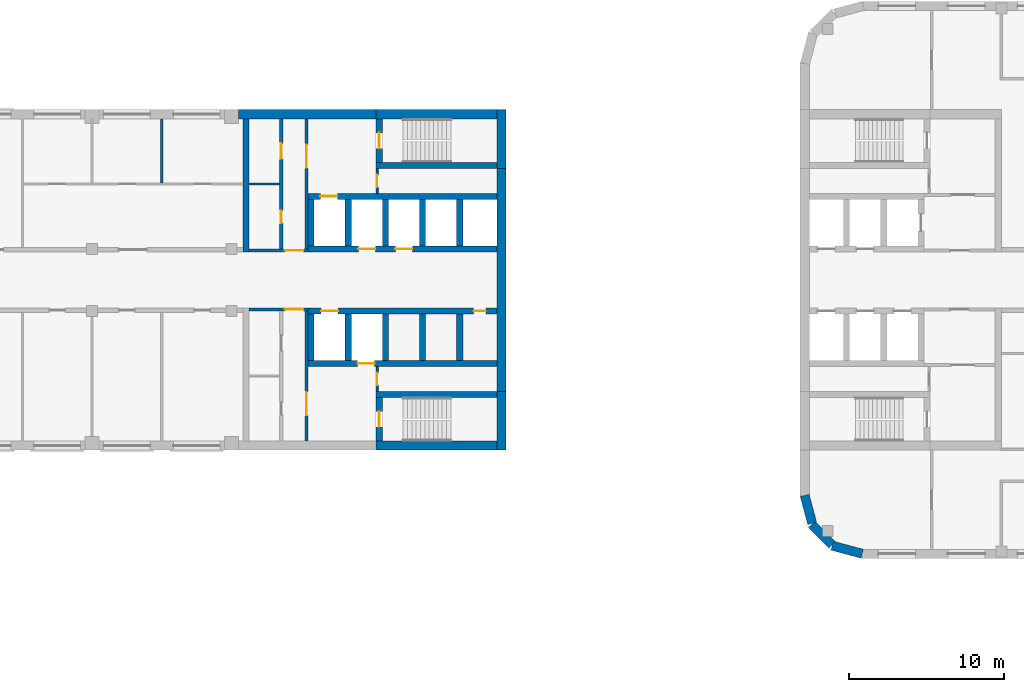
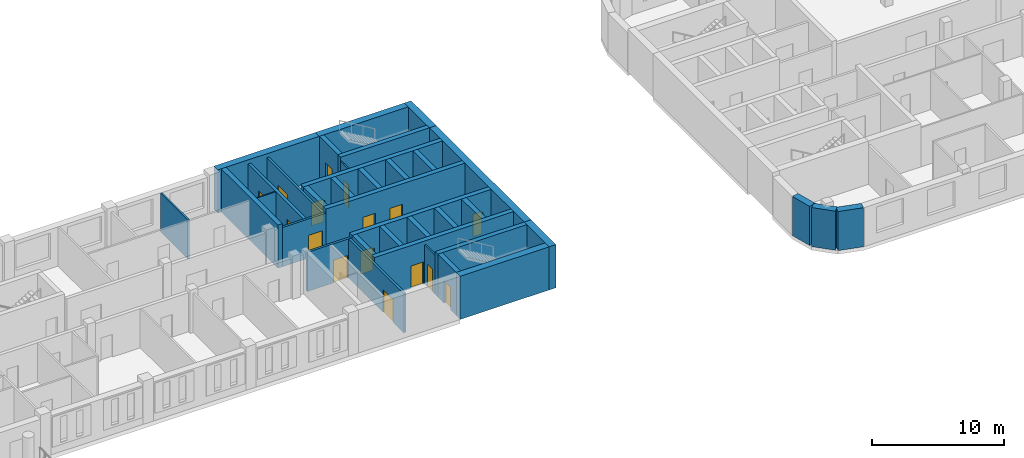
# One storey, part 6 of 16: 37 walls, 16 doors, 16 openings.
"""IFC4 building model written with IfcOpenShell, lengths in metres."""

from ifc_helpers import new_model, si_unit, direction, frame, frame_2d, origin, place, context, subcontext, project, spatial, rectangle, extrude, material, layer, layer_set, type_object, element, fill, save


model = new_model("IFC4")

# Units and contexts
model_context = context("Model", 3, precision=1e-05, world=origin(), true_north=direction((0.0, 1.0)))
body_context = subcontext(model_context, "Body", "Model", "MODEL_VIEW")
ifc_project = project(units=[si_unit("LENGTHUNIT", "METRE"), si_unit("AREAUNIT", "SQUARE_METRE"), si_unit("VOLUMEUNIT", "CUBIC_METRE"), si_unit("PLANEANGLEUNIT", "RADIAN"), si_unit("MASSUNIT", "GRAM", prefix="KILO")], contexts=[model_context])

# Site, building, storey
site_placement = place(None, origin())
site = spatial("IfcSite", under=ifc_project, at=site_placement, CompositionType="ELEMENT")
building_placement = place(site_placement, origin())
building = spatial("IfcBuilding", under=site, at=building_placement, Name="Skarvind Civic Tower", CompositionType="ELEMENT")
storey_placement = place(building_placement, frame((0.0, 0.0, 67.5)))
storey = spatial("IfcBuildingStorey", under=building, at=storey_placement, Name="L15", CompositionType="ELEMENT", Elevation=67.5)

# Wall, opening, door
ifc_material_1 = material(Name="Fire-rated masonry partition", Category="masonry")
ifc_layer_1 = layer(ifc_material_1, 0.199951171875)
ifc_layer_set_1 = layer_set([ifc_layer_1], Name="Core enclosure wall 200")
wall_type_1 = type_object("IfcWallType", Name="Core enclosure wall 200", PredefinedType="PARTITIONING", material=ifc_layer_set_1)
wall_1_placement = place(storey_placement, frame((95.199951171875, 126.10009765625, 0.0), z_axis=(0.0, 0.0, 1.0), x_axis=(-1.0, 0.0, 0.0)))
wall_1 = element("IfcWall", 1, at=wall_1_placement, inside=storey, type_object=wall_type_1, Name="Core wall C1", PredefinedType="PARTITIONING", context=body_context, shape_type="SweptSolid", body=[
    extrude(rectangle(XDim=3.800048828125, YDim=0.199951171875, at=frame_2d((1.89990234375, 0.0))), origin(), (0.0, 0.0, 1.0), 3.625),
])
opening_1_placement = place(wall_1_placement, frame((0.300048828125, 0.0, 0.0)))
opening_1 = element("IfcOpeningElement", 2, at=opening_1_placement, cuts=wall_1, Name="Opening D-L15-C1-05", PredefinedType="OPENING", context=body_context, shape_type="SweptSolid", body=[
    extrude(rectangle(XDim=1.199951171875, YDim=2.10009765625, at=frame_2d((0.60009765625, 1.050048828125))), frame((0.0, 0.10986328125, 0.0), z_axis=(0.0, -1.0, 0.0), x_axis=(1.0, 0.0, 0.0)), (0.0, 0.0, 1.0), 0.219970703125),
])
ifc_material_2 = material(Name="Fire-rated steel door", Category="steel")
door_type_1 = type_object("IfcDoorType", Name="Core lobby door 1200", OperationType="NOTDEFINED", PredefinedType="DOOR", material=ifc_material_2)
door_1_placement = place(opening_1_placement, origin())
door_1 = element("IfcDoor", 3, at=door_1_placement, inside=storey, type_object=door_type_1, Name="Fire door", OperationType="DOUBLE_DOOR_SINGLE_SWING", OverallHeight=2.10009765625, OverallWidth=1.199951171875, PredefinedType="DOOR", context=body_context, shape_type="SweptSolid", body=[
    extrude(rectangle(XDim=1.199951171875, YDim=2.10009765625, at=frame_2d((0.60009765625, 1.050048828125))), frame((0.0, 0.02490234375, 0.0), z_axis=(0.0, -1.0, 0.0), x_axis=(1.0, 0.0, 0.0)), (0.0, 0.0, 1.0), 0.050048828125),
])
fill(opening_1, door_1)

wall_2_placement = place(storey_placement, frame((95.10009765625, 117.60009765625, 0.0), z_axis=(0.0, 0.0, 1.0), x_axis=(0.0, 1.0, 0.0)))
wall_2 = element("IfcWall", 4, at=wall_2_placement, inside=storey, type_object=wall_type_1, Name="Core wall C1", PredefinedType="PARTITIONING", context=body_context, shape_type="SweptSolid", body=[
    extrude(rectangle(XDim=8.39990234375, YDim=0.199951171875, at=frame_2d((4.199951171875, 0.0))), origin(), (0.0, 0.0, 1.0), 3.625),
])
opening_2_placement = place(wall_2_placement, frame((1.64990234375, 0.0, 0.0)))
opening_2 = element("IfcOpeningElement", 5, at=opening_2_placement, cuts=wall_2, Name="Opening D-L15-C1-06", PredefinedType="OPENING", context=body_context, shape_type="SweptSolid", body=[
    extrude(rectangle(XDim=1.5, YDim=2.10009765625, at=frame_2d((0.75, 1.050048828125))), frame((0.0, 0.10986328125, 0.0), z_axis=(0.0, -1.0, 0.0), x_axis=(1.0, 0.0, 0.0)), (0.0, 0.0, 1.0), 0.219970703125),
])
door_type_2 = type_object("IfcDoorType", Name="Fire door 1500", OperationType="NOTDEFINED", PredefinedType="DOOR", material=ifc_material_2)
door_2_placement = place(opening_2_placement, origin())
door_2 = element("IfcDoor", 6, at=door_2_placement, inside=storey, type_object=door_type_2, Name="Fire door", OperationType="DOUBLE_DOOR_SINGLE_SWING", OverallHeight=2.10009765625, OverallWidth=1.5, PredefinedType="DOOR", context=body_context, shape_type="SweptSolid", body=[
    extrude(rectangle(XDim=1.5, YDim=2.10009765625, at=frame_2d((0.75, 1.050048828125))), frame((0.0, 0.02490234375, 0.0), z_axis=(0.0, -1.0, 0.0), x_axis=(1.0, 0.0, 0.0)), (0.0, 0.0, 1.0), 0.050048828125),
])
fill(opening_2, door_2)

wall_3_placement = place(storey_placement, frame((91.39990234375, 129.89990234375, 0.0), z_axis=(0.0, 0.0, 1.0), x_axis=(1.0, 0.0, 0.0)))
wall_3 = element("IfcWall", 7, at=wall_3_placement, inside=storey, type_object=wall_type_1, Name="Core wall C1", PredefinedType="PARTITIONING", context=body_context, shape_type="SweptSolid", body=[
    extrude(rectangle(XDim=3.800048828125, YDim=0.199951171875, at=frame_2d((1.89990234375, 0.0))), origin(), (0.0, 0.0, 1.0), 3.625),
])
opening_3_placement = place(wall_3_placement, frame((2.300048828125, 0.0, 0.0)))
opening_3 = element("IfcOpeningElement", 8, at=opening_3_placement, cuts=wall_3, Name="Opening D-L15-C1-11", PredefinedType="OPENING", context=body_context, shape_type="SweptSolid", body=[
    extrude(rectangle(XDim=1.199951171875, YDim=2.10009765625, at=frame_2d((0.60009765625, 1.050048828125))), frame((0.0, 0.10986328125, 0.0), z_axis=(0.0, -1.0, 0.0), x_axis=(1.0, 0.0, 0.0)), (0.0, 0.0, 1.0), 0.219970703125),
])
door_3_placement = place(opening_3_placement, origin())
door_3 = element("IfcDoor", 9, at=door_3_placement, inside=storey, type_object=door_type_1, Name="Fire door", OperationType="DOUBLE_DOOR_SINGLE_SWING", OverallHeight=2.10009765625, OverallWidth=1.199951171875, PredefinedType="DOOR", context=body_context, shape_type="SweptSolid", body=[
    extrude(rectangle(XDim=1.199951171875, YDim=2.10009765625, at=frame_2d((0.60009765625, 1.050048828125))), frame((0.0, 0.02490234375, 0.0), z_axis=(0.0, -1.0, 0.0), x_axis=(1.0, 0.0, 0.0)), (0.0, 0.0, 1.0), 0.050048828125),
])
fill(opening_3, door_3)

wall_4_placement = place(storey_placement, frame((95.10009765625, 130.0, 0.0), z_axis=(0.0, 0.0, 1.0), x_axis=(0.0, 1.0, 0.0)))
wall_4 = element("IfcWall", 10, at=wall_4_placement, inside=storey, type_object=wall_type_1, Name="Core wall C1", PredefinedType="PARTITIONING", context=body_context, shape_type="SweptSolid", body=[
    extrude(rectangle(XDim=8.39990234375, YDim=0.199951171875, at=frame_2d((4.199951171875, 0.0))), origin(), (0.0, 0.0, 1.0), 3.625),
])
opening_4_placement = place(wall_4_placement, frame((5.25, 0.0, 0.0)))
opening_4 = element("IfcOpeningElement", 11, at=opening_4_placement, cuts=wall_4, Name="Opening D-L15-C1-12", PredefinedType="OPENING", context=body_context, shape_type="SweptSolid", body=[
    extrude(rectangle(XDim=1.5, YDim=2.10009765625, at=frame_2d((0.75, 1.050048828125))), frame((0.0, 0.10986328125, 0.0), z_axis=(0.0, -1.0, 0.0), x_axis=(1.0, 0.0, 0.0)), (0.0, 0.0, 1.0), 0.219970703125),
])
door_4_placement = place(opening_4_placement, origin())
door_4 = element("IfcDoor", 12, at=door_4_placement, inside=storey, type_object=door_type_2, Name="Fire door", OperationType="DOUBLE_DOOR_SINGLE_SWING", OverallHeight=2.10009765625, OverallWidth=1.5, PredefinedType="DOOR", context=body_context, shape_type="SweptSolid", body=[
    extrude(rectangle(XDim=1.5, YDim=2.10009765625, at=frame_2d((0.75, 1.050048828125))), frame((0.0, 0.02490234375, 0.0), z_axis=(0.0, -1.0, 0.0), x_axis=(1.0, 0.0, 0.0)), (0.0, 0.0, 1.0), 0.050048828125),
])
fill(opening_4, door_4)

# Walls
ifc_material_3 = material(Name="Fire-rated plasterboard partition")
ifc_layer_2 = layer(ifc_material_3, 0.10009765625)
ifc_layer_set_2 = layer_set([ifc_layer_2], Name="Core partition wall 100")
wall_type_2 = type_object("IfcWallType", Name="Core partition wall 100", PredefinedType="PARTITIONING", material=ifc_layer_set_2)
wall_5_placement = place(storey_placement, frame((91.39990234375, 134.199951171875, 0.0), z_axis=(0.0, 0.0, 1.0), x_axis=(1.0, 0.0, 0.0)))
element("IfcWall", 13, at=wall_5_placement, inside=storey, type_object=wall_type_2, Name="Core wall C1", PredefinedType="PARTITIONING", context=body_context, shape_type="SweptSolid", body=[
    extrude(rectangle(XDim=1.9501953125, YDim=0.10009765625, at=frame_2d((0.97509765625, 0.0))), origin(), (0.0, 0.0, 1.0), 3.625),
])
ifc_material_4 = material(Name="Concrete C80", Category="concrete")
ifc_layer_3 = layer(ifc_material_4, 0.39990234375)
ifc_layer_set_3 = layer_set([ifc_layer_3], Name="Core wall 400 C80")
wall_type_3 = type_object("IfcWallType", Name="Core wall 400 C80", PredefinedType="SHEAR", material=ifc_layer_set_3)
wall_6_placement = place(storey_placement, frame((107.39990234375, 135.39990234375, 0.0), z_axis=(0.0, 0.0, 1.0), x_axis=(-1.0, 0.0, 0.0)))
element("IfcWall", 14, at=wall_6_placement, inside=storey, type_object=wall_type_3, Name="Core wall C1 south stair inner L15", PredefinedType="SHEAR", context=body_context, shape_type="SweptSolid", body=[
    extrude(rectangle(XDim=7.7998046875, YDim=0.39990234375, at=frame_2d((3.89990234375, 0.0))), origin(), (0.0, 0.0, 1.0), 4.0),
])

# Wall, opening, door
wall_7_placement = place(storey_placement, frame((99.800048828125, 138.39990234375, 0.0), z_axis=(0.0, 0.0, 1.0), x_axis=(0.0, -1.0, 0.0)))
wall_7 = element("IfcWall", 15, at=wall_7_placement, inside=storey, type_object=wall_type_3, Name="Core wall C1 south stair end L15", PredefinedType="SHEAR", context=body_context, shape_type="SweptSolid", body=[
    extrude(rectangle(XDim=2.7998046875, YDim=0.39990234375, at=frame_2d((1.39990234375, 0.0))), origin(), (0.0, 0.0, 1.0), 4.0),
])
opening_5_placement = place(wall_7_placement, frame((0.89990234375, 0.0, 0.0)))
opening_5 = element("IfcOpeningElement", 16, at=opening_5_placement, cuts=wall_7, Name="Opening D-L15-C1-13", PredefinedType="OPENING", context=body_context, shape_type="SweptSolid", body=[
    extrude(rectangle(XDim=1.0, YDim=2.10009765625, at=frame_2d((0.5, 1.050048828125))), frame((0.0, 0.2099609375, 0.0), z_axis=(0.0, -1.0, 0.0), x_axis=(1.0, 0.0, 0.0)), (0.0, 0.0, 1.0), 0.419921875),
])
door_type_3 = type_object("IfcDoorType", Name="Fire door 1000", OperationType="NOTDEFINED", PredefinedType="DOOR", material=ifc_material_2)
door_5_placement = place(opening_5_placement, origin())
door_5 = element("IfcDoor", 17, at=door_5_placement, inside=storey, type_object=door_type_3, Name="Fire door", OperationType="SINGLE_SWING_RIGHT", OverallHeight=2.10009765625, OverallWidth=1.0, PredefinedType="DOOR", context=body_context, shape_type="SweptSolid", body=[
    extrude(rectangle(XDim=1.0, YDim=2.10009765625, at=frame_2d((0.5, 1.050048828125))), frame((0.0, 0.02490234375, 0.0), z_axis=(0.0, -1.0, 0.0), x_axis=(1.0, 0.0, 0.0)), (0.0, 0.0, 1.0), 0.050048828125),
])
fill(opening_5, door_5)

# Wall
wall_8_placement = place(storey_placement, frame((107.39990234375, 120.60009765625, 0.0), z_axis=(0.0, 0.0, 1.0), x_axis=(-1.0, 0.0, 0.0)))
element("IfcWall", 18, at=wall_8_placement, inside=storey, type_object=wall_type_3, Name="Core wall C1 north stair inner L15", PredefinedType="SHEAR", context=body_context, shape_type="SweptSolid", body=[
    extrude(rectangle(XDim=7.7998046875, YDim=0.39990234375, at=frame_2d((3.89990234375, 0.0))), origin(), (0.0, 0.0, 1.0), 4.0),
])

# Wall, opening, door
wall_9_placement = place(storey_placement, frame((99.800048828125, 120.39990234375, 0.0), z_axis=(0.0, 0.0, 1.0), x_axis=(0.0, -1.0, 0.0)))
wall_9 = element("IfcWall", 19, at=wall_9_placement, inside=storey, type_object=wall_type_3, Name="Core wall C1 north stair end L15", PredefinedType="SHEAR", context=body_context, shape_type="SweptSolid", body=[
    extrude(rectangle(XDim=2.7998046875, YDim=0.39990234375, at=frame_2d((1.39990234375, 0.0))), origin(), (0.0, 0.0, 1.0), 4.0),
])
opening_6_placement = place(wall_9_placement, frame((0.89990234375, 0.0, 0.0)))
opening_6 = element("IfcOpeningElement", 20, at=opening_6_placement, cuts=wall_9, Name="Opening D-L15-C1-07", PredefinedType="OPENING", context=body_context, shape_type="SweptSolid", body=[
    extrude(rectangle(XDim=1.0, YDim=2.10009765625, at=frame_2d((0.5, 1.050048828125))), frame((0.0, 0.2099609375, 0.0), z_axis=(0.0, -1.0, 0.0), x_axis=(1.0, 0.0, 0.0)), (0.0, 0.0, 1.0), 0.419921875),
])
door_6_placement = place(opening_6_placement, origin())
door_6 = element("IfcDoor", 21, at=door_6_placement, inside=storey, type_object=door_type_3, Name="Fire door", OperationType="SINGLE_SWING_LEFT", OverallHeight=2.10009765625, OverallWidth=1.0, PredefinedType="DOOR", context=body_context, shape_type="SweptSolid", body=[
    extrude(rectangle(XDim=1.0, YDim=2.10009765625, at=frame_2d((0.5, 1.050048828125))), frame((0.0, 0.02490234375, 0.0), z_axis=(0.0, -1.0, 0.0), x_axis=(1.0, 0.0, 0.0)), (0.0, 0.0, 1.0), 0.050048828125),
])
fill(opening_6, door_6)

# Wall, openings, doors
wall_10_placement = place(storey_placement, frame((107.39990234375, 130.0, 0.0), z_axis=(0.0, 0.0, 1.0), x_axis=(-1.0, 0.0, 0.0)))
wall_10 = element("IfcWall", 22, at=wall_10_placement, inside=storey, type_object=wall_type_3, Name="Core wall C1 south lift row front L15", PredefinedType="SHEAR", context=body_context, shape_type="SweptSolid", body=[
    extrude(rectangle(XDim=12.199951171875, YDim=0.39990234375, at=frame_2d((6.10009765625, 0.0))), origin(), (0.0, 0.0, 1.0), 4.0),
])
opening_7_placement = place(wall_10_placement, frame((5.449951171875, 0.0, 0.0)))
opening_7 = element("IfcOpeningElement", 23, at=opening_7_placement, cuts=wall_10, Name="Opening LD17108", PredefinedType="OPENING", context=body_context, shape_type="SweptSolid", body=[
    extrude(rectangle(XDim=1.10009765625, YDim=2.10009765625, at=frame_2d((0.550048828125, 1.050048828125))), frame((0.0, 0.2099609375, 0.0), z_axis=(0.0, -1.0, 0.0), x_axis=(1.0, 0.0, 0.0)), (0.0, 0.0, 1.0), 0.419921875),
])
opening_8_placement = place(wall_10_placement, frame((7.85009765625, 0.0, 0.0)))
opening_8 = element("IfcOpeningElement", 24, at=opening_8_placement, cuts=wall_10, Name="Opening LD17109", PredefinedType="OPENING", context=body_context, shape_type="SweptSolid", body=[
    extrude(rectangle(XDim=1.10009765625, YDim=2.10009765625, at=frame_2d((0.550048828125, 1.050048828125))), frame((0.0, 0.2099609375, 0.0), z_axis=(0.0, -1.0, 0.0), x_axis=(1.0, 0.0, 0.0)), (0.0, 0.0, 1.0), 0.419921875),
])
ifc_material_5 = material(Name="Stainless steel landing door", Category="steel")
door_type_4 = type_object("IfcDoorType", Name="Lift landing door 1100", OperationType="DOUBLE_DOOR_SLIDING", PredefinedType="DOOR", material=ifc_material_5)
door_7_placement = place(opening_7_placement, origin())
door_7 = element("IfcDoor", 25, at=door_7_placement, inside=storey, type_object=door_type_4, Name="Lift landing door", OperationType="DOUBLE_DOOR_SLIDING", OverallHeight=2.10009765625, OverallWidth=1.10009765625, PredefinedType="DOOR", context=body_context, shape_type="SweptSolid", body=[
    extrude(rectangle(XDim=1.10009765625, YDim=2.10009765625, at=frame_2d((0.550048828125, 1.050048828125))), frame((0.0, 0.02490234375, 0.0), z_axis=(0.0, -1.0, 0.0), x_axis=(1.0, 0.0, 0.0)), (0.0, 0.0, 1.0), 0.050048828125),
])
fill(opening_7, door_7)
door_8_placement = place(opening_8_placement, origin())
door_8 = element("IfcDoor", 26, at=door_8_placement, inside=storey, type_object=door_type_4, Name="Lift landing door", OperationType="DOUBLE_DOOR_SLIDING", OverallHeight=2.10009765625, OverallWidth=1.10009765625, PredefinedType="DOOR", context=body_context, shape_type="SweptSolid", body=[
    extrude(rectangle(XDim=1.10009765625, YDim=2.10009765625, at=frame_2d((0.550048828125, 1.050048828125))), frame((0.0, 0.02490234375, 0.0), z_axis=(0.0, -1.0, 0.0), x_axis=(1.0, 0.0, 0.0)), (0.0, 0.0, 1.0), 0.050048828125),
])
fill(opening_8, door_8)

# Wall, opening, door
wall_11_placement = place(storey_placement, frame((107.39990234375, 133.39990234375, 0.0), z_axis=(0.0, 0.0, 1.0), x_axis=(-1.0, 0.0, 0.0)))
wall_11 = element("IfcWall", 27, at=wall_11_placement, inside=storey, type_object=wall_type_3, Name="Core wall C1 south lift row back L15", PredefinedType="SHEAR", context=body_context, shape_type="SweptSolid", body=[
    extrude(rectangle(XDim=12.199951171875, YDim=0.39990234375, at=frame_2d((6.10009765625, 0.0))), origin(), (0.0, 0.0, 1.0), 4.0),
])
opening_9_placement = place(wall_11_placement, frame((10.300048828125, 0.0, 0.0)))
opening_9 = element("IfcOpeningElement", 28, at=opening_9_placement, cuts=wall_11, Name="Opening LD17110", PredefinedType="OPENING", context=body_context, shape_type="SweptSolid", body=[
    extrude(rectangle(XDim=1.10009765625, YDim=2.10009765625, at=frame_2d((0.550048828125, 1.050048828125))), frame((0.0, 0.2099609375, 0.0), z_axis=(0.0, -1.0, 0.0), x_axis=(1.0, 0.0, 0.0)), (0.0, 0.0, 1.0), 0.419921875),
])
door_9_placement = place(opening_9_placement, origin())
door_9 = element("IfcDoor", 29, at=door_9_placement, inside=storey, type_object=door_type_4, Name="Lift landing door", OperationType="DOUBLE_DOOR_SLIDING", OverallHeight=2.10009765625, OverallWidth=1.10009765625, PredefinedType="DOOR", context=body_context, shape_type="SweptSolid", body=[
    extrude(rectangle(XDim=1.10009765625, YDim=2.10009765625, at=frame_2d((0.550048828125, 1.050048828125))), frame((0.0, 0.02490234375, 0.0), z_axis=(0.0, -1.0, 0.0), x_axis=(1.0, 0.0, 0.0)), (0.0, 0.0, 1.0), 0.050048828125),
])
fill(opening_9, door_9)

# Walls
for number, where, z_axis, x_axis, name in (
    (30, (105.0, 133.199951171875, 0.0), (0.0, 0.0, 1.0), (0.0, -1.0, 0.0), "Core wall C1 south lift row division 1 L15"),
    (31, (102.60009765625, 133.199951171875, 0.0), (0.0, 0.0, 1.0), (0.0, -1.0, 0.0), "Core wall C1 south lift row division 2 L15"),
    (32, (100.199951171875, 133.199951171875, 0.0), (0.0, 0.0, 1.0), (0.0, -1.0, 0.0), "Core wall C1 south lift row division 3 L15"),
    (33, (97.800048828125, 133.199951171875, 0.0), (0.0, 0.0, 1.0), (0.0, -1.0, 0.0), "Core wall C1 south lift row division 4 L15"),
    (34, (95.39990234375, 133.199951171875, 0.0), (0.0, 0.0, 1.0), (0.0, -1.0, 0.0), "Core wall C1 south lift row division 5 L15"),
):
    element("IfcWall", number, at=place(storey_placement, frame(where, z_axis=z_axis, x_axis=x_axis)), inside=storey, type_object=wall_type_3, Name=name, PredefinedType="SHEAR", context=body_context, shape_type="SweptSolid", body=[
        extrude(rectangle(XDim=3.0, YDim=0.39990234375, at=frame_2d((1.5, 0.0))), origin(), (0.0, 0.0, 1.0), 4.0),
    ])

# Wall, openings, doors
wall_12_placement = place(storey_placement, frame((107.39990234375, 126.0, 0.0), z_axis=(0.0, 0.0, 1.0), x_axis=(-1.0, 0.0, 0.0)))
wall_12 = element("IfcWall", 35, at=wall_12_placement, inside=storey, type_object=wall_type_3, Name="Core wall C1 north lift row front L15", PredefinedType="SHEAR", context=body_context, shape_type="SweptSolid", body=[
    extrude(rectangle(XDim=12.199951171875, YDim=0.39990234375, at=frame_2d((6.10009765625, 0.0))), origin(), (0.0, 0.0, 1.0), 4.0),
])
opening_10_placement = place(wall_12_placement, frame((10.25, 0.0, 0.0)))
opening_10 = element("IfcOpeningElement", 36, at=opening_10_placement, cuts=wall_12, Name="Opening LD17105", PredefinedType="OPENING", context=body_context, shape_type="SweptSolid", body=[
    extrude(rectangle(XDim=1.10009765625, YDim=2.10009765625, at=frame_2d((0.550048828125, 1.050048828125))), frame((0.0, 0.2099609375, 0.0), z_axis=(0.0, -1.0, 0.0), x_axis=(1.0, 0.0, 0.0)), (0.0, 0.0, 1.0), 0.419921875),
])
opening_11_placement = place(wall_12_placement, frame((0.699951171875, 0.0, 0.0)))
opening_11 = element("IfcOpeningElement", 37, at=opening_11_placement, cuts=wall_12, Name="Opening D-L15-C1-04", PredefinedType="OPENING", context=body_context, shape_type="SweptSolid", body=[
    extrude(rectangle(XDim=0.800048828125, YDim=2.10009765625, at=frame_2d((0.39990234375, 1.050048828125))), frame((0.0, 0.2099609375, 0.0), z_axis=(0.0, -1.0, 0.0), x_axis=(1.0, 0.0, 0.0)), (0.0, 0.0, 1.0), 0.419921875),
])
door_type_5 = type_object("IfcDoorType", Name="Core riser door 800", OperationType="NOTDEFINED", PredefinedType="DOOR", material=ifc_material_2)
door_10_placement = place(opening_11_placement, origin())
door_10 = element("IfcDoor", 38, at=door_10_placement, inside=storey, type_object=door_type_5, Name="Riser door", OperationType="SINGLE_SWING_LEFT", OverallHeight=2.10009765625, OverallWidth=0.800048828125, PredefinedType="DOOR", context=body_context, shape_type="SweptSolid", body=[
    extrude(rectangle(XDim=0.800048828125, YDim=2.10009765625, at=frame_2d((0.39990234375, 1.050048828125))), frame((0.0, 0.02490234375, 0.0), z_axis=(0.0, -1.0, 0.0), x_axis=(1.0, 0.0, 0.0)), (0.0, 0.0, 1.0), 0.050048828125),
])
fill(opening_11, door_10)
door_11_placement = place(opening_10_placement, origin())
door_11 = element("IfcDoor", 39, at=door_11_placement, inside=storey, type_object=door_type_4, Name="Lift landing door", OperationType="DOUBLE_DOOR_SLIDING", OverallHeight=2.10009765625, OverallWidth=1.10009765625, PredefinedType="DOOR", context=body_context, shape_type="SweptSolid", body=[
    extrude(rectangle(XDim=1.10009765625, YDim=2.10009765625, at=frame_2d((0.550048828125, 1.050048828125))), frame((0.0, 0.02490234375, 0.0), z_axis=(0.0, -1.0, 0.0), x_axis=(1.0, 0.0, 0.0)), (0.0, 0.0, 1.0), 0.050048828125),
])
fill(opening_10, door_11)

# Wall, opening, door
wall_13_placement = place(storey_placement, frame((107.39990234375, 122.60009765625, 0.0), z_axis=(0.0, 0.0, 1.0), x_axis=(-1.0, 0.0, 0.0)))
wall_13 = element("IfcWall", 40, at=wall_13_placement, inside=storey, type_object=wall_type_3, Name="Core wall C1 north lift row back L15", PredefinedType="SHEAR", context=body_context, shape_type="SweptSolid", body=[
    extrude(rectangle(XDim=12.199951171875, YDim=0.39990234375, at=frame_2d((6.10009765625, 0.0))), origin(), (0.0, 0.0, 1.0), 4.0),
])
opening_12_placement = place(wall_13_placement, frame((7.89990234375, 0.0, 0.0)))
opening_12 = element("IfcOpeningElement", 41, at=opening_12_placement, cuts=wall_13, Name="Opening LD17104", PredefinedType="OPENING", context=body_context, shape_type="SweptSolid", body=[
    extrude(rectangle(XDim=1.10009765625, YDim=2.10009765625, at=frame_2d((0.550048828125, 1.050048828125))), frame((0.0, 0.2099609375, 0.0), z_axis=(0.0, -1.0, 0.0), x_axis=(1.0, 0.0, 0.0)), (0.0, 0.0, 1.0), 0.419921875),
])
door_12_placement = place(opening_12_placement, origin())
door_12 = element("IfcDoor", 42, at=door_12_placement, inside=storey, type_object=door_type_4, Name="Lift landing door", OperationType="DOUBLE_DOOR_SLIDING", OverallHeight=2.10009765625, OverallWidth=1.10009765625, PredefinedType="DOOR", context=body_context, shape_type="SweptSolid", body=[
    extrude(rectangle(XDim=1.10009765625, YDim=2.10009765625, at=frame_2d((0.550048828125, 1.050048828125))), frame((0.0, 0.02490234375, 0.0), z_axis=(0.0, -1.0, 0.0), x_axis=(1.0, 0.0, 0.0)), (0.0, 0.0, 1.0), 0.050048828125),
])
fill(opening_12, door_12)

# Walls
for number, where, z_axis, x_axis, name in (
    (43, (105.0, 125.800048828125, 0.0), (0.0, 0.0, 1.0), (0.0, -1.0, 0.0), "Core wall C1 north lift row division 1 L15"),
    (44, (102.60009765625, 125.800048828125, 0.0), (0.0, 0.0, 1.0), (0.0, -1.0, 0.0), "Core wall C1 north lift row division 2 L15"),
    (45, (100.199951171875, 125.800048828125, 0.0), (0.0, 0.0, 1.0), (0.0, -1.0, 0.0), "Core wall C1 north lift row division 3 L15"),
    (46, (97.800048828125, 125.800048828125, 0.0), (0.0, 0.0, 1.0), (0.0, -1.0, 0.0), "Core wall C1 north lift row division 4 L15"),
    (47, (95.39990234375, 125.800048828125, 0.0), (0.0, 0.0, 1.0), (0.0, -1.0, 0.0), "Core wall C1 north lift row division 5 L15"),
):
    element("IfcWall", number, at=place(storey_placement, frame(where, z_axis=z_axis, x_axis=x_axis)), inside=storey, type_object=wall_type_3, Name=name, PredefinedType="SHEAR", context=body_context, shape_type="SweptSolid", body=[
        extrude(rectangle(XDim=3.0, YDim=0.39990234375, at=frame_2d((1.5, 0.0))), origin(), (0.0, 0.0, 1.0), 4.0),
    ])
wall_14_placement = place(storey_placement, frame((91.199951171875, 138.39990234375, 0.0), z_axis=(0.0, 0.0, 1.0), x_axis=(0.0, -1.0, 0.0)))
element("IfcWall", 48, at=wall_14_placement, inside=storey, type_object=wall_type_3, Name="Core wall C1 south inner face L15", PredefinedType="SHEAR", context=body_context, shape_type="SweptSolid", body=[
    extrude(rectangle(XDim=8.599853515625, YDim=0.39990234375, at=frame_2d((4.2998046875, 0.0))), origin(), (0.0, 0.0, 1.0), 4.0),
])
ifc_layer_4 = layer(ifc_material_4, 0.60009765625)
ifc_layer_set_4 = layer_set([ifc_layer_4], Name="Core wall 600 C80")
wall_type_4 = type_object("IfcWallType", Name="Core wall 600 C80", PredefinedType="SHEAR", material=ifc_layer_set_4)
wall_15_placement = place(storey_placement, frame((107.699951171875, 139.0, 0.0), z_axis=(0.0, 0.0, 1.0), x_axis=(0.0, -1.0, 0.0)))
element("IfcWall", 49, at=wall_15_placement, inside=storey, type_object=wall_type_4, Name="Core wall C1 tip at the south stair L15", PredefinedType="SHEAR", context=body_context, shape_type="SweptSolid", body=[
    extrude(rectangle(XDim=3.800048828125, YDim=0.60009765625, at=frame_2d((1.89990234375, 0.0))), origin(), (0.0, 0.0, 1.0), 4.0),
])
wall_16_placement = place(storey_placement, frame((107.699951171875, 135.199951171875, 0.0), z_axis=(0.0, 0.0, 1.0), x_axis=(0.0, -1.0, 0.0)))
element("IfcWall", 50, at=wall_16_placement, inside=storey, type_object=wall_type_4, Name="Core wall C1 tip between the stairs L15", PredefinedType="SHEAR", context=body_context, shape_type="SweptSolid", body=[
    extrude(rectangle(XDim=14.39990234375, YDim=0.60009765625, at=frame_2d((7.199951171875, 0.0))), origin(), (0.0, 0.0, 1.0), 4.0),
])
wall_17_placement = place(storey_placement, frame((107.699951171875, 120.800048828125, 0.0), z_axis=(0.0, 0.0, 1.0), x_axis=(0.0, -1.0, 0.0)))
element("IfcWall", 51, at=wall_17_placement, inside=storey, type_object=wall_type_4, Name="Core wall C1 tip at the north stair L15", PredefinedType="SHEAR", context=body_context, shape_type="SweptSolid", body=[
    extrude(rectangle(XDim=3.800048828125, YDim=0.60009765625, at=frame_2d((1.89990234375, 0.0))), origin(), (0.0, 0.0, 1.0), 4.0),
])
for number, where, z_axis, x_axis, name in (
    (52, (107.39990234375, 138.699951171875, 0.0), (0.0, 0.0, 1.0), (-1.0, 0.0, 0.0), "Core wall C1 south side at the stair L15"),
    (53, (107.39990234375, 117.300048828125, 0.0), (0.0, 0.0, 1.0), (-1.0, 0.0, 0.0), "Core wall C1 north side at the stair L15"),
):
    element("IfcWall", number, at=place(storey_placement, frame(where, z_axis=z_axis, x_axis=x_axis)), inside=storey, type_object=wall_type_4, Name=name, PredefinedType="SHEAR", context=body_context, shape_type="SweptSolid", body=[
        extrude(rectangle(XDim=7.7998046875, YDim=0.60009765625, at=frame_2d((3.89990234375, 0.0))), origin(), (0.0, 0.0, 1.0), 4.0),
    ])
wall_18_placement = place(storey_placement, frame((99.60009765625, 138.699951171875, 0.0), z_axis=(0.0, 0.0, 1.0), x_axis=(-1.0, 0.0, 0.0)))
element("IfcWall", 54, at=wall_18_placement, inside=storey, type_object=wall_type_4, Name="Core wall C1 south side L15", PredefinedType="SHEAR", context=body_context, shape_type="SweptSolid", body=[
    extrude(rectangle(XDim=8.900146484375, YDim=0.60009765625, at=frame_2d((4.4501953125, 0.0))), origin(), (0.0, 0.0, 1.0), 4.0),
])
ifc_material_6 = material(Name="Plasterboard partition on steel studs", Category="steel")
ifc_layer_5 = layer(ifc_material_6, 0.14990234375)
ifc_layer_set_5 = layer_set([ifc_layer_5], Name="PARTITION 150")
wall_type_5 = type_object("IfcWallType", Name="PARTITION 150", PredefinedType="PARTITIONING", material=ifc_layer_set_5)
wall_19_placement = place(storey_placement, frame((85.75, 134.27490234375, 0.0), z_axis=(0.0, 0.0, 1.0), x_axis=(0.0, 1.0, 0.0)))
element("IfcWall", 55, at=wall_19_placement, inside=storey, type_object=wall_type_5, Name="Partition 15.043", PredefinedType="PARTITIONING", context=body_context, shape_type="SweptSolid", body=[
    extrude(rectangle(XDim=4.125, YDim=0.14990234375, at=frame_2d((2.0625, 0.0))), origin(), (0.0, 0.0, 1.0), 3.625),
])

# Wall, opening, door
ifc_layer_6 = layer(ifc_material_1, 0.125)
ifc_layer_set_6 = layer_set([ifc_layer_6], Name="Riser wall 125")
wall_type_6 = type_object("IfcWallType", Name="Riser wall 125", PredefinedType="PARTITIONING", material=ifc_layer_set_6)
wall_20_placement = place(storey_placement, frame((99.66259765625, 120.800048828125, 0.0), z_axis=(0.0, 0.0, 1.0), x_axis=(0.0, 1.0, 0.0)))
wall_20 = element("IfcWall", 56, at=wall_20_placement, inside=storey, type_object=wall_type_6, Name="Core wall C1", PredefinedType="PARTITIONING", context=body_context, shape_type="SweptSolid", body=[
    extrude(rectangle(XDim=1.599853515625, YDim=0.125, at=frame_2d((0.7998046875, 0.0))), origin(), (0.0, 0.0, 1.0), 3.625),
])
opening_13_placement = place(wall_20_placement, frame((0.39990234375, 0.0, 0.0)))
opening_13 = element("IfcOpeningElement", 57, at=opening_13_placement, cuts=wall_20, Name="Opening D-L15-C1-08", PredefinedType="OPENING", context=body_context, shape_type="SweptSolid", body=[
    extrude(rectangle(XDim=0.800048828125, YDim=2.10009765625, at=frame_2d((0.39990234375, 1.050048828125))), frame((0.0, 0.072509765625, 0.0), z_axis=(0.0, -1.0, 0.0), x_axis=(1.0, 0.0, 0.0)), (0.0, 0.0, 1.0), 0.14501953125),
])
door_13_placement = place(opening_13_placement, origin())
door_13 = element("IfcDoor", 58, at=door_13_placement, inside=storey, type_object=door_type_5, Name="Riser door", OperationType="SINGLE_SWING_RIGHT", OverallHeight=2.10009765625, OverallWidth=0.800048828125, PredefinedType="DOOR", context=body_context, shape_type="SweptSolid", body=[
    extrude(rectangle(XDim=0.800048828125, YDim=2.10009765625, at=frame_2d((0.39990234375, 1.050048828125))), frame((0.0, 0.02490234375, 0.0), z_axis=(0.0, -1.0, 0.0), x_axis=(1.0, 0.0, 0.0)), (0.0, 0.0, 1.0), 0.050048828125),
])
fill(opening_13, door_13)

wall_21_placement = place(storey_placement, frame((99.66259765625, 133.60009765625, 0.0), z_axis=(0.0, 0.0, 1.0), x_axis=(0.0, 1.0, 0.0)))
wall_21 = element("IfcWall", 59, at=wall_21_placement, inside=storey, type_object=wall_type_6, Name="Core wall C1", PredefinedType="PARTITIONING", context=body_context, shape_type="SweptSolid", body=[
    extrude(rectangle(XDim=1.599853515625, YDim=0.125, at=frame_2d((0.7998046875, 0.0))), origin(), (0.0, 0.0, 1.0), 3.625),
])
opening_14_placement = place(wall_21_placement, frame((0.39990234375, 0.0, 0.0)))
opening_14 = element("IfcOpeningElement", 60, at=opening_14_placement, cuts=wall_21, Name="Opening D-L15-C1-14", PredefinedType="OPENING", context=body_context, shape_type="SweptSolid", body=[
    extrude(rectangle(XDim=0.800048828125, YDim=2.10009765625, at=frame_2d((0.39990234375, 1.050048828125))), frame((0.0, 0.072509765625, 0.0), z_axis=(0.0, -1.0, 0.0), x_axis=(1.0, 0.0, 0.0)), (0.0, 0.0, 1.0), 0.14501953125),
])
door_14_placement = place(opening_14_placement, origin())
door_14 = element("IfcDoor", 61, at=door_14_placement, inside=storey, type_object=door_type_5, Name="Riser door", OperationType="SINGLE_SWING_LEFT", OverallHeight=2.10009765625, OverallWidth=0.800048828125, PredefinedType="DOOR", context=body_context, shape_type="SweptSolid", body=[
    extrude(rectangle(XDim=0.800048828125, YDim=2.10009765625, at=frame_2d((0.39990234375, 1.050048828125))), frame((0.0, 0.02490234375, 0.0), z_axis=(0.0, -1.0, 0.0), x_axis=(1.0, 0.0, 0.0)), (0.0, 0.0, 1.0), 0.050048828125),
])
fill(opening_14, door_14)

# Wall, openings, doors
ifc_layer_7 = layer(ifc_material_1, 0.25)
ifc_layer_set_7 = layer_set([ifc_layer_7], Name="Service block wall 250")
wall_type_7 = type_object("IfcWallType", Name="Service block wall 250", PredefinedType="PARTITIONING", material=ifc_layer_set_7)
wall_22_placement = place(storey_placement, frame((93.47509765625, 130.0, 0.0), z_axis=(0.0, 0.0, 1.0), x_axis=(0.0, 1.0, 0.0)))
wall_22 = element("IfcWall", 62, at=wall_22_placement, inside=storey, type_object=wall_type_7, Name="Core wall C1", PredefinedType="PARTITIONING", context=body_context, shape_type="SweptSolid", body=[
    extrude(rectangle(XDim=8.39990234375, YDim=0.25, at=frame_2d((4.199951171875, 0.0))), origin(), (0.0, 0.0, 1.0), 3.625),
])
opening_15_placement = place(wall_22_placement, frame((1.675048828125, 0.0, 0.0)))
opening_15 = element("IfcOpeningElement", 63, at=opening_15_placement, cuts=wall_22, Name="Opening D-L15-C1-15", PredefinedType="OPENING", context=body_context, shape_type="SweptSolid", body=[
    extrude(rectangle(XDim=0.800048828125, YDim=2.10009765625, at=frame_2d((0.39990234375, 1.050048828125))), frame((0.0, 0.135009765625, 0.0), z_axis=(0.0, -1.0, 0.0), x_axis=(1.0, 0.0, 0.0)), (0.0, 0.0, 1.0), 0.27001953125),
])
opening_16_placement = place(wall_22_placement, frame((5.824951171875, 0.0, 0.0)))
opening_16 = element("IfcOpeningElement", 64, at=opening_16_placement, cuts=wall_22, Name="Opening D-L15-C1-16", PredefinedType="OPENING", context=body_context, shape_type="SweptSolid", body=[
    extrude(rectangle(XDim=1.0, YDim=2.10009765625, at=frame_2d((0.5, 1.050048828125))), frame((0.0, 0.135009765625, 0.0), z_axis=(0.0, -1.0, 0.0), x_axis=(1.0, 0.0, 0.0)), (0.0, 0.0, 1.0), 0.27001953125),
])
door_15_placement = place(opening_15_placement, origin())
door_15 = element("IfcDoor", 65, at=door_15_placement, inside=storey, type_object=door_type_5, Name="Riser door", OperationType="SINGLE_SWING_RIGHT", OverallHeight=2.10009765625, OverallWidth=0.800048828125, PredefinedType="DOOR", context=body_context, shape_type="SweptSolid", body=[
    extrude(rectangle(XDim=0.800048828125, YDim=2.10009765625, at=frame_2d((0.39990234375, 1.050048828125))), frame((0.0, 0.02490234375, 0.0), z_axis=(0.0, -1.0, 0.0), x_axis=(1.0, 0.0, 0.0)), (0.0, 0.0, 1.0), 0.050048828125),
])
fill(opening_15, door_15)
door_16_placement = place(opening_16_placement, origin())
door_16 = element("IfcDoor", 66, at=door_16_placement, inside=storey, type_object=door_type_3, Name="Fire door", OperationType="SINGLE_SWING_LEFT", OverallHeight=2.10009765625, OverallWidth=1.0, PredefinedType="DOOR", context=body_context, shape_type="SweptSolid", body=[
    extrude(rectangle(XDim=1.0, YDim=2.10009765625, at=frame_2d((0.5, 1.050048828125))), frame((0.0, 0.02490234375, 0.0), z_axis=(0.0, -1.0, 0.0), x_axis=(1.0, 0.0, 0.0)), (0.0, 0.0, 1.0), 0.050048828125),
])
fill(opening_16, door_16)

# Walls
ifc_material_7 = material(Name="Limestone masonry cladding on insulated backing", Category="masonry")
ifc_layer_8 = layer(ifc_material_7, 0.60009765625)
ifc_layer_set_8 = layer_set([ifc_layer_8], Name="WX1 STONE FACADE WALL 600")
wall_type_8 = type_object("IfcWallType", Name="WX1 STONE FACADE WALL 600", PredefinedType="SOLIDWALL", material=ifc_layer_set_8)
for number, where, z_axis, x_axis, name in (
    (67, (127.771240234375, 112.280517578125, 0.0), (0.0, 0.0, 1.0), (-0.258773254036, 0.965938094805, 0.0), "STONE FACADE WALL"),
    (68, (129.063720703125, 110.896484375, 0.0), (0.0, 0.0, 1.0), (-0.707106781187, 0.707106781187, 0.0), "STONE FACADE WALL"),
):
    element("IfcWall", number, at=place(storey_placement, frame(where, z_axis=z_axis, x_axis=x_axis)), inside=storey, type_object=wall_type_8, Name=name, PredefinedType="SOLIDWALL", context=body_context, shape_type="SweptSolid", body=[
        extrude(rectangle(XDim=1.860595703125, YDim=0.60009765625, at=frame_2d((0.93017578125, 0.0))), origin(), (0.0, 0.0, 1.0), 3.625),
    ])
wall_23_placement = place(storey_placement, frame((131.010009765625, 110.307861328125, 0.0), z_axis=(0.0, 0.0, 1.0), x_axis=(-0.965920269068, 0.258839784042, 0.0)))
element("IfcWall", 69, at=wall_23_placement, inside=storey, type_object=wall_type_8, Name="STONE FACADE WALL", PredefinedType="SOLIDWALL", context=body_context, shape_type="SweptSolid", body=[
    extrude(rectangle(XDim=2.00048828125, YDim=0.60009765625, at=frame_2d((1.000244140625, 0.0))), origin(), (0.0, 0.0, 1.0), 3.625),
])

save(model, "model.ifc")
